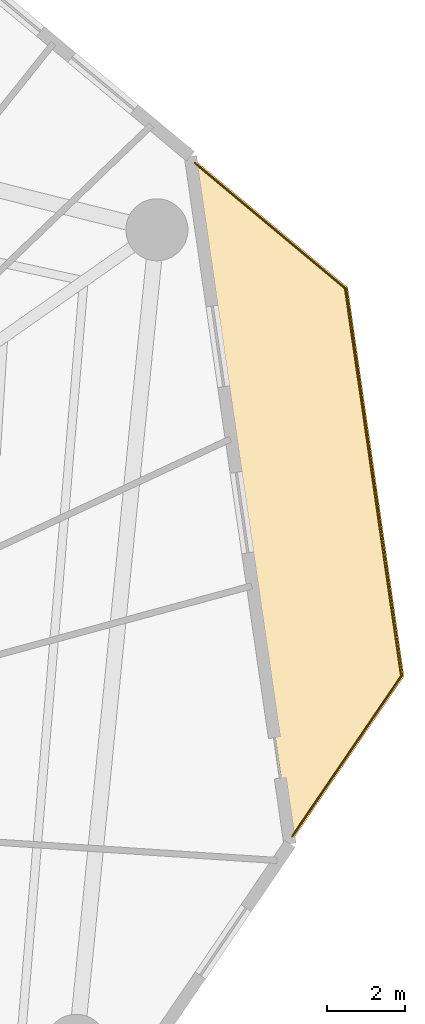
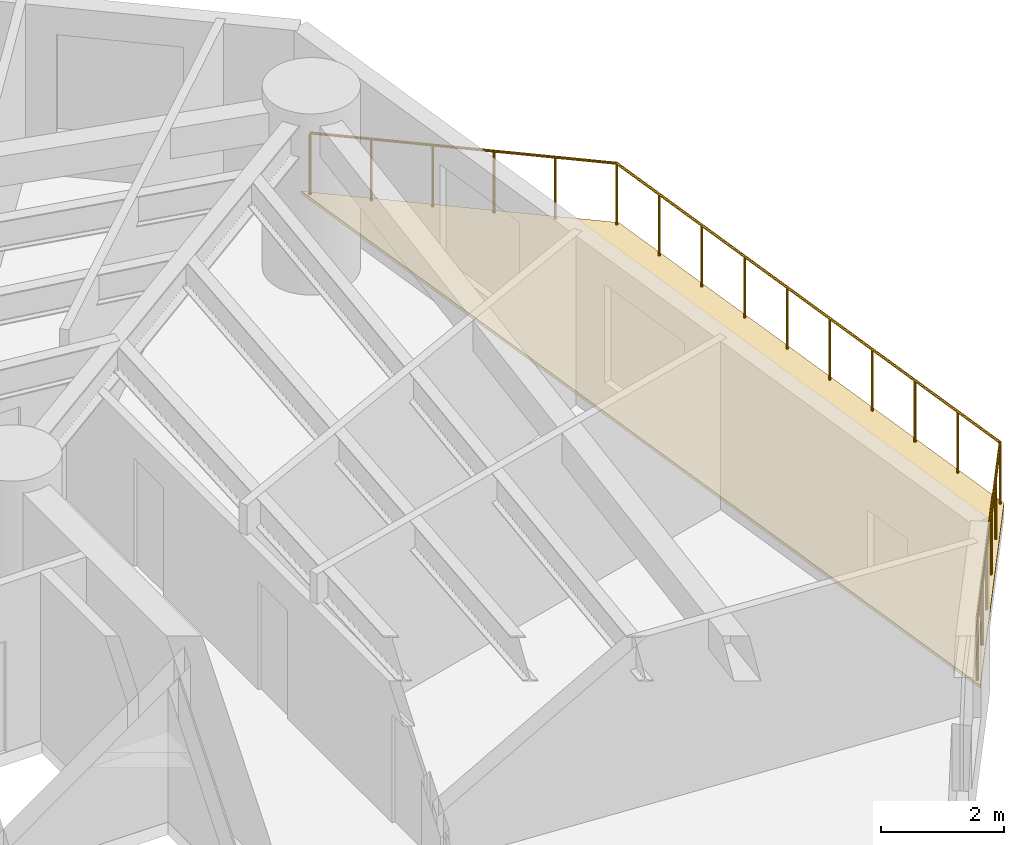
# One storey, part 9 of 9: 3 railings, 1 covering.
"""IFC4 building model written with IfcOpenShell, lengths in metres."""

from ifc_helpers import new_model, si_unit, direction, frame, origin, origin_2d, place, context, subcontext, project, spatial, polyline, circle, outline, extrude, material, layer, layer_set, type_object, element, save


model = new_model("IFC4")

# Units and contexts
model_context = context("Model", 3, precision=1e-05, world=origin(), true_north=direction((0.0, 1.0)))
body_context = subcontext(model_context, "Body", "Model", "MODEL_VIEW")
ifc_project = project(units=[si_unit("LENGTHUNIT", "METRE"), si_unit("AREAUNIT", "SQUARE_METRE"), si_unit("VOLUMEUNIT", "CUBIC_METRE"), si_unit("PLANEANGLEUNIT", "RADIAN"), si_unit("MASSUNIT", "GRAM", prefix="KILO")], contexts=[model_context])

# Site, building, storey
site_placement = place(None, origin())
site = spatial("IfcSite", under=ifc_project, at=site_placement, CompositionType="ELEMENT")
building_placement = place(site_placement, origin())
building = spatial("IfcBuilding", under=site, at=building_placement, Name="Karkom Vertical University and Central Library", CompositionType="ELEMENT")
storey_placement = place(building_placement, frame((0.0, 0.0, 69.699951171875)))
storey = spatial("IfcBuildingStorey", under=building, at=storey_placement, Name="L18", CompositionType="ELEMENT", Elevation=69.699951171875)

# Covering
ifc_material_1 = material(Name="EPDM membrane with Kota stone ballast roofing", Category="masonry")
ifc_layer_1 = layer(ifc_material_1, 0.080078125)
ifc_layer_set_1 = layer_set([ifc_layer_1], Name="EPDM membrane with Kota stone ballast roofing")
covering_type = type_object("IfcCoveringType", Name="ENV-COV-ROOF", PredefinedType="ROOFING", material=ifc_layer_set_1)
covering_placement = place(storey_placement, origin())
element("IfcCovering", 1, at=covering_placement, inside=storey, type_object=covering_type, Name="Level 18 Spiral Sky Garden Waterproofing Covering", PredefinedType="ROOFING", context=body_context, shape_type="SweptSolid", body=[
    extrude(outline(polyline([(51.84033203125, 39.811767578125), (53.291259765625, 29.78369140625), (50.367919921875, 25.488525390625), (47.809814453125, 43.169189453125), (51.84033203125, 39.811767578125)])), origin(), (0.0, 0.0, 1.0), 0.06005859375),
])

# Railings
ifc_material_2 = material(Name="Architectural painted steel & laminated glass balustrade", Category="steel")
ifc_layer_2 = layer(ifc_material_2, 0.090087890625)
ifc_layer_set_2 = layer_set([ifc_layer_2], Name="Architectural painted steel & laminated glass balustrade")
railing_type = type_object("IfcRailingType", Name="ENV-RL-BAL1300", PredefinedType="BALUSTRADE", material=ifc_layer_set_2)
railing_1_placement = place(storey_placement, frame((51.7841796875, 39.780517578125, 0.0)))
element("IfcRailing", 2, at=railing_1_placement, inside=storey, type_object=railing_type, Name="Level 18 Planted Terrace Safety Balustrade 01", PredefinedType="BALUSTRADE", context=body_context, shape_type="SweptSolid", body=[
    extrude(circle(Radius=0.02392578125, at=origin_2d()), frame((0.0, 0.0, 1.27587890625), z_axis=(0.143196807879, -0.989694232687, 0.0), x_axis=(0.989694232687, 0.143196807879, 0.0)), (0.0, 0.0, 1.0), 10.08642578125),
    extrude(circle(Radius=0.02099609375, at=origin_2d()), origin(), (0.0, 0.0, 1.0), 1.251953125),
    extrude(circle(Radius=0.02099609375, at=origin_2d()), frame((0.160400390625, -1.109130859375, 0.0)), (0.0, 0.0, 1.0), 1.251953125),
    extrude(circle(Radius=0.02099609375, at=origin_2d()), frame((0.321044921875, -2.21826171875, 0.0)), (0.0, 0.0, 1.0), 1.251953125),
    extrude(circle(Radius=0.02099609375, at=origin_2d()), frame((0.4814453125, -3.327392578125, 0.0)), (0.0, 0.0, 1.0), 1.251953125),
    extrude(circle(Radius=0.02099609375, at=origin_2d()), frame((0.641845703125, -4.4365234375, 0.0)), (0.0, 0.0, 1.0), 1.251953125),
    extrude(circle(Radius=0.02099609375, at=origin_2d()), frame((0.802490234375, -5.5458984375, 0.0)), (0.0, 0.0, 1.0), 1.251953125),
    extrude(circle(Radius=0.02099609375, at=origin_2d()), frame((0.962890625, -6.655029296875, 0.0)), (0.0, 0.0, 1.0), 1.251953125),
    extrude(circle(Radius=0.02099609375, at=origin_2d()), frame((1.123291015625, -7.76416015625, 0.0)), (0.0, 0.0, 1.0), 1.251953125),
    extrude(circle(Radius=0.02099609375, at=origin_2d()), frame((1.283935546875, -8.873291015625, 0.0)), (0.0, 0.0, 1.0), 1.251953125),
    extrude(circle(Radius=0.02099609375, at=origin_2d()), frame((1.4443359375, -9.982421875, 0.0)), (0.0, 0.0, 1.0), 1.251953125),
])
railing_2_placement = place(storey_placement, frame((53.228515625, 29.798095703125, 0.0)))
element("IfcRailing", 3, at=railing_2_placement, inside=storey, type_object=railing_type, Name="Level 18 Planted Terrace Safety Balustrade 02", PredefinedType="BALUSTRADE", context=body_context, shape_type="SweptSolid", body=[
    extrude(circle(Radius=0.02392578125, at=origin_2d()), frame((0.0, 0.0, 1.27587890625), z_axis=(-0.562646673935, -0.826697478108, 0.0), x_axis=(0.826697478108, -0.562646673935, 0.0)), (0.0, 0.0, 1.0), 5.017822265625),
    extrude(circle(Radius=0.02099609375, at=origin_2d()), origin(), (0.0, 0.0, 1.0), 1.251953125),
    extrude(circle(Radius=0.02099609375, at=origin_2d()), frame((-0.564697265625, -0.82958984375, 0.0)), (0.0, 0.0, 1.0), 1.251953125),
    extrude(circle(Radius=0.02099609375, at=origin_2d()), frame((-1.12939453125, -1.6591796875, 0.0)), (0.0, 0.0, 1.0), 1.251953125),
    extrude(circle(Radius=0.02099609375, at=origin_2d()), frame((-1.69384765625, -2.489013671875, 0.0)), (0.0, 0.0, 1.0), 1.251953125),
    extrude(circle(Radius=0.02099609375, at=origin_2d()), frame((-2.258544921875, -3.318603515625, 0.0)), (0.0, 0.0, 1.0), 1.251953125),
    extrude(circle(Radius=0.02099609375, at=origin_2d()), frame((-2.8232421875, -4.148193359375, 0.0)), (0.0, 0.0, 1.0), 1.251953125),
])
railing_3_placement = place(storey_placement, frame((47.8916015625, 43.02294921875, 0.0)))
element("IfcRailing", 4, at=railing_3_placement, inside=storey, type_object=railing_type, Name="Level 18 Planted Terrace Safety Balustrade 03", PredefinedType="BALUSTRADE", context=body_context, shape_type="SweptSolid", body=[
    extrude(circle(Radius=0.02392578125, at=origin_2d()), frame((0.0, 0.0, 1.27587890625), z_axis=(0.768355565175, -0.640023222597, 0.0), x_axis=(0.640023222597, 0.768355565175, 0.0)), (0.0, 0.0, 1.0), 5.066162109375),
    extrude(circle(Radius=0.02099609375, at=origin_2d()), origin(), (0.0, 0.0, 1.0), 1.251953125),
    extrude(circle(Radius=0.02099609375, at=origin_2d()), frame((0.778564453125, -0.6484375, 0.0)), (0.0, 0.0, 1.0), 1.251953125),
    extrude(circle(Radius=0.02099609375, at=origin_2d()), frame((1.55712890625, -1.296875, 0.0)), (0.0, 0.0, 1.0), 1.251953125),
    extrude(circle(Radius=0.02099609375, at=origin_2d()), frame((2.33544921875, -1.945556640625, 0.0)), (0.0, 0.0, 1.0), 1.251953125),
    extrude(circle(Radius=0.02099609375, at=origin_2d()), frame((3.114013671875, -2.593994140625, 0.0)), (0.0, 0.0, 1.0), 1.251953125),
    extrude(circle(Radius=0.02099609375, at=origin_2d()), frame((3.892578125, -3.242431640625, 0.0)), (0.0, 0.0, 1.0), 1.251953125),
])

save(model, "model.ifc")
